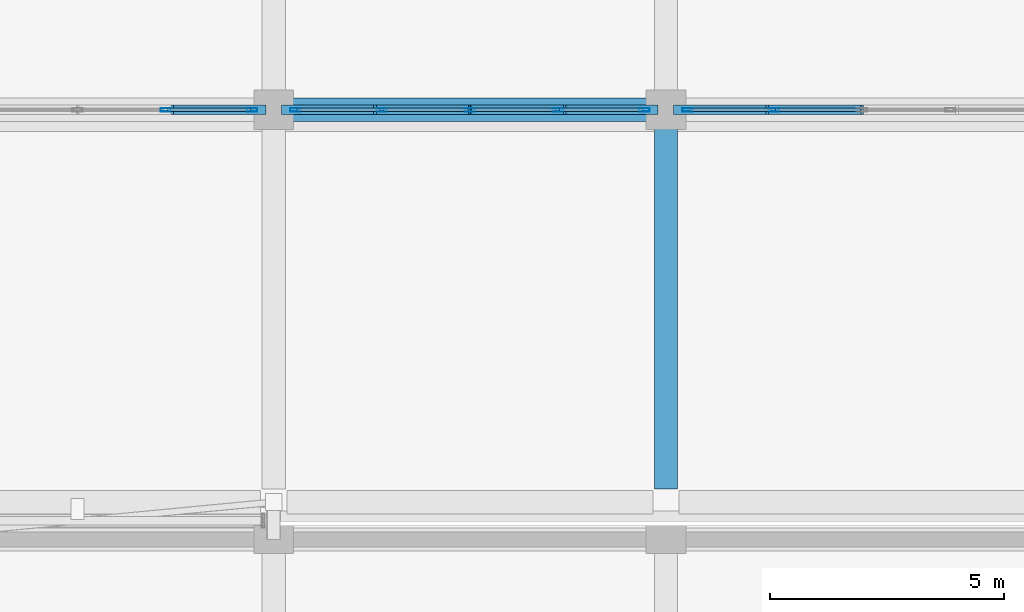
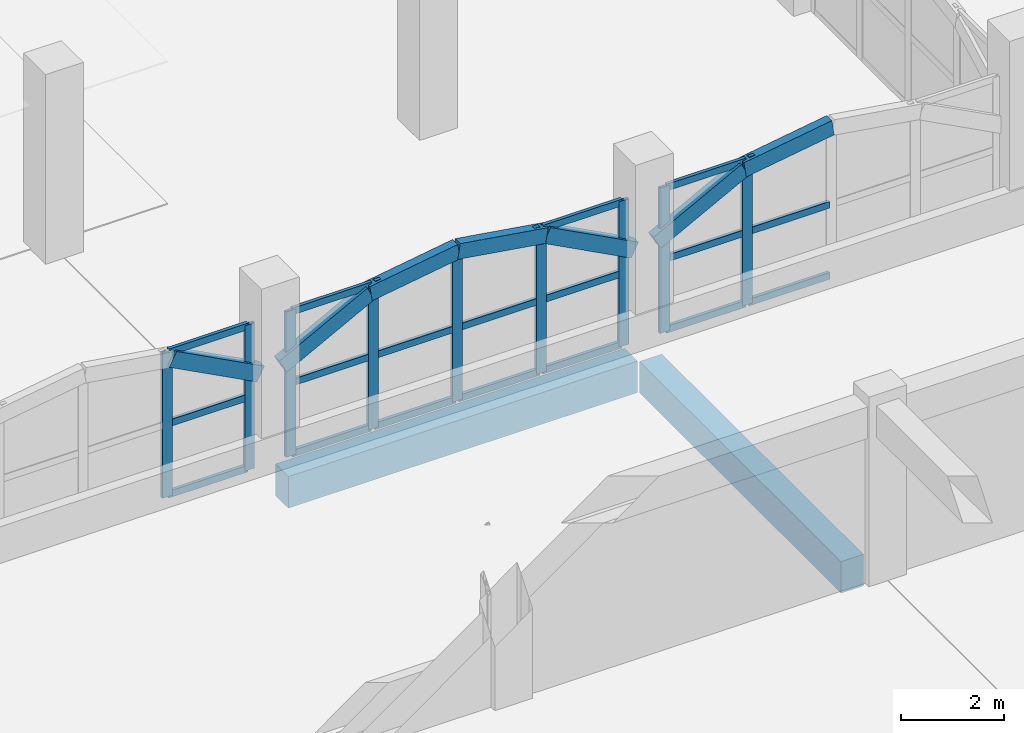
# One storey, part 22 of 129: 37 members, 2 beams, 3 elements without a shape of their own.
"""IFC4 building model written with IfcOpenShell, lengths in metres."""

from ifc_helpers import new_model, si_unit, direction, frame, origin, origin_2d, place, context, subcontext, project, spatial, rectangle, hollow_rectangle, extrude, material, layer, layer_set, material_profile, profile_set, type_object, element, aggregate, save


model = new_model("IFC4")

# Units and contexts
model_context = context("Model", 3, precision=1e-05, world=origin(), true_north=direction((0.0, 1.0)))
body_context = subcontext(model_context, "Body", "Model", "MODEL_VIEW")
ifc_project = project(units=[si_unit("LENGTHUNIT", "METRE"), si_unit("AREAUNIT", "SQUARE_METRE"), si_unit("VOLUMEUNIT", "CUBIC_METRE"), si_unit("PLANEANGLEUNIT", "RADIAN"), si_unit("MASSUNIT", "GRAM", prefix="KILO")], contexts=[model_context])

# Site, building, storey
site_placement = place(None, origin())
site = spatial("IfcSite", under=ifc_project, at=site_placement, CompositionType="ELEMENT")
building_placement = place(site_placement, origin())
building = spatial("IfcBuilding", under=site, at=building_placement, Name="Xazarin Passage Department Store", CompositionType="ELEMENT")
storey_placement = place(building_placement, frame((0.0, 0.0, 9.89990234375)))
storey = spatial("IfcBuildingStorey", under=building, at=storey_placement, Name="L02", CompositionType="ELEMENT", Elevation=9.89990234375)

# Curtain wall, members
ifc_material_1 = material(Name="Bronze anodised aluminium", Category="aluminium")
ifc_layer = layer(ifc_material_1, 0.199951171875)
ifc_layer_set = layer_set([ifc_layer], Name="Bronze anodised aluminium")
curtain_wall_type = type_object("IfcCurtainWallType", Name="ARC-CW-VIT2", PredefinedType="NOTDEFINED", material=ifc_layer_set)
curtain_wall_1_placement = place(storey_placement, origin())
curtain_wall_1 = element("IfcCurtainWall", 1, at=curtain_wall_1_placement, inside=storey, type_object=curtain_wall_type, Name="L02 V1 Curtain Wall 032", PredefinedType="NOTDEFINED")
ifc_material_profile_1 = material_profile(ifc_material_1, hollow_rectangle(XDim=0.074951171875, YDim=0.219970703125, WallThickness=0.0048828125, at=origin_2d()), Name="ALU 75x220")
ifc_profile_set_1 = profile_set([ifc_material_profile_1], Name="Bronze anodised aluminium")
member_type_1 = type_object("IfcMemberType", Name="ARC-CWM-75x220", PredefinedType="MULLION", material=ifc_profile_set_1)
member_1_placement = place(storey_placement, frame((31.28759765625, 59.60009765625, 0.0), z_axis=(0.0, 0.0, 1.0), x_axis=(0.0, 1.0, 0.0)))
member_1 = element("IfcMember", 2, at=member_1_placement, type_object=member_type_1, Name="CW2 mullion 4", PredefinedType="MULLION", context=body_context, shape_type="SweptSolid", body=[
    extrude(hollow_rectangle(XDim=0.074951171875, YDim=0.219970703125, WallThickness=0.0048828125, at=origin_2d()), origin(), (0.0, 0.0, 1.0), 3.4501953125),
])
member_2_placement = place(storey_placement, frame((33.137451171875, 59.60009765625, 0.0), z_axis=(0.0, 0.0, 1.0), x_axis=(0.0, 1.0, 0.0)))
member_2 = element("IfcMember", 3, at=member_2_placement, type_object=member_type_1, Name="CW2 mullion 5", PredefinedType="MULLION", context=body_context, shape_type="SweptSolid", body=[
    extrude(hollow_rectangle(XDim=0.074951171875, YDim=0.219970703125, WallThickness=0.0048828125, at=origin_2d()), origin(), (0.0, 0.0, 1.0), 3.4501953125),
])

curtain_wall_2_placement = place(storey_placement, origin())
curtain_wall_2 = element("IfcCurtainWall", 4, at=curtain_wall_2_placement, inside=storey, type_object=curtain_wall_type, Name="L02 V1 Curtain Wall 033", PredefinedType="NOTDEFINED")
member_3_placement = place(storey_placement, frame((34.0625, 59.60009765625, 0.0), z_axis=(0.0, 0.0, 1.0), x_axis=(0.0, 1.0, 0.0)))
member_3 = element("IfcMember", 5, at=member_3_placement, type_object=member_type_1, Name="CW2 mullion 1", PredefinedType="MULLION", context=body_context, shape_type="SweptSolid", body=[
    extrude(hollow_rectangle(XDim=0.074951171875, YDim=0.219970703125, WallThickness=0.0048828125, at=origin_2d()), origin(), (0.0, 0.0, 1.0), 3.4501953125),
])
member_4_placement = place(storey_placement, frame((35.91259765625, 59.60009765625, 0.0), z_axis=(0.0, 0.0, 1.0), x_axis=(0.0, 1.0, 0.0)))
member_4 = element("IfcMember", 6, at=member_4_placement, type_object=member_type_1, Name="CW2 mullion 2", PredefinedType="MULLION", context=body_context, shape_type="SweptSolid", body=[
    extrude(hollow_rectangle(XDim=0.074951171875, YDim=0.219970703125, WallThickness=0.0048828125, at=origin_2d()), origin(), (0.0, 0.0, 1.0), 3.4501953125),
])
member_5_placement = place(storey_placement, frame((37.800048828125, 59.60009765625, 0.0), z_axis=(0.0, 0.0, 1.0), x_axis=(0.0, 1.0, 0.0)))
member_5 = element("IfcMember", 7, at=member_5_placement, type_object=member_type_1, Name="CW2 mullion 3", PredefinedType="MULLION", context=body_context, shape_type="SweptSolid", body=[
    extrude(hollow_rectangle(XDim=0.074951171875, YDim=0.219970703125, WallThickness=0.0048828125, at=origin_2d()), origin(), (0.0, 0.0, 1.0), 3.4501953125),
])
member_6_placement = place(storey_placement, frame((39.6875, 59.60009765625, 0.0), z_axis=(0.0, 0.0, 1.0), x_axis=(0.0, 1.0, 0.0)))
member_6 = element("IfcMember", 8, at=member_6_placement, type_object=member_type_1, Name="CW2 mullion 4", PredefinedType="MULLION", context=body_context, shape_type="SweptSolid", body=[
    extrude(hollow_rectangle(XDim=0.074951171875, YDim=0.219970703125, WallThickness=0.0048828125, at=origin_2d()), origin(), (0.0, 0.0, 1.0), 3.4501953125),
])
member_7_placement = place(storey_placement, frame((41.53759765625, 59.60009765625, 0.0), z_axis=(0.0, 0.0, 1.0), x_axis=(0.0, 1.0, 0.0)))
member_7 = element("IfcMember", 9, at=member_7_placement, type_object=member_type_1, Name="CW2 mullion 5", PredefinedType="MULLION", context=body_context, shape_type="SweptSolid", body=[
    extrude(hollow_rectangle(XDim=0.074951171875, YDim=0.219970703125, WallThickness=0.0048828125, at=origin_2d()), origin(), (0.0, 0.0, 1.0), 3.4501953125),
])

curtain_wall_3_placement = place(storey_placement, origin())
curtain_wall_3 = element("IfcCurtainWall", 10, at=curtain_wall_3_placement, inside=storey, type_object=curtain_wall_type, Name="L02 V1 Curtain Wall 034", PredefinedType="NOTDEFINED")
member_8_placement = place(storey_placement, frame((42.46240234375, 59.60009765625, 0.0), z_axis=(0.0, 0.0, 1.0), x_axis=(0.0, 1.0, 0.0)))
member_8 = element("IfcMember", 11, at=member_8_placement, type_object=member_type_1, Name="CW2 mullion 1", PredefinedType="MULLION", context=body_context, shape_type="SweptSolid", body=[
    extrude(hollow_rectangle(XDim=0.074951171875, YDim=0.219970703125, WallThickness=0.0048828125, at=origin_2d()), origin(), (0.0, 0.0, 1.0), 3.4501953125),
])
member_9_placement = place(storey_placement, frame((44.3125, 59.60009765625, 0.0), z_axis=(0.0, 0.0, 1.0), x_axis=(0.0, 1.0, 0.0)))
member_9 = element("IfcMember", 12, at=member_9_placement, type_object=member_type_1, Name="CW2 mullion 2", PredefinedType="MULLION", context=body_context, shape_type="SweptSolid", body=[
    extrude(hollow_rectangle(XDim=0.074951171875, YDim=0.219970703125, WallThickness=0.0048828125, at=origin_2d()), origin(), (0.0, 0.0, 1.0), 3.4501953125),
])

# Member
ifc_material_profile_2 = material_profile(ifc_material_1, hollow_rectangle(XDim=0.074951171875, YDim=0.159912109375, WallThickness=0.00439453125, at=origin_2d()), Name="ALU 75x160")
ifc_profile_set_2 = profile_set([ifc_material_profile_2], Name="Bronze anodised aluminium")
member_type_2 = type_object("IfcMemberType", Name="ARC-CWT-75x160", PredefinedType="USERDEFINED", material=ifc_profile_set_2)
member_10_placement = place(storey_placement, frame((31.324951171875, 59.60009765625, 0.03759765625), z_axis=(1.0, 0.0, 0.0), x_axis=(0.0, 1.0, 0.0)))
member_10 = element("IfcMember", 13, at=member_10_placement, type_object=member_type_2, Name="CW2 transom 4.1", ObjectType="TRANSOM", PredefinedType="USERDEFINED", context=body_context, shape_type="SweptSolid", body=[
    extrude(hollow_rectangle(XDim=0.074951171875, YDim=0.159912109375, WallThickness=0.00439453125, at=origin_2d()), origin(), (0.0, 0.0, 1.0), 1.775146484375),
])

member_11_placement = place(storey_placement, frame((31.324951171875, 59.60009765625, 1.72509765625), z_axis=(1.0, 0.0, 0.0), x_axis=(0.0, 1.0, 0.0)))
member_11 = element("IfcMember", 14, at=member_11_placement, type_object=member_type_2, Name="CW2 transom 4.2", ObjectType="TRANSOM", PredefinedType="USERDEFINED", context=body_context, shape_type="SweptSolid", body=[
    extrude(hollow_rectangle(XDim=0.074951171875, YDim=0.159912109375, WallThickness=0.00439453125, at=origin_2d()), origin(), (0.0, 0.0, 1.0), 1.775146484375),
])

member_12_placement = place(storey_placement, frame((31.324951171875, 59.60009765625, 3.41259765625), z_axis=(1.0, 0.0, 0.0), x_axis=(0.0, 1.0, 0.0)))
member_12 = element("IfcMember", 15, at=member_12_placement, type_object=member_type_2, Name="CW2 transom 4.3", ObjectType="TRANSOM", PredefinedType="USERDEFINED", context=body_context, shape_type="SweptSolid", body=[
    extrude(hollow_rectangle(XDim=0.074951171875, YDim=0.159912109375, WallThickness=0.00439453125, at=origin_2d()), origin(), (0.0, 0.0, 1.0), 1.775146484375),
])

aggregate(curtain_wall_1, [member_1, member_2, member_10, member_11, member_12])

member_13_placement = place(storey_placement, frame((34.10009765625, 59.60009765625, 0.03759765625), z_axis=(1.0, 0.0, 0.0), x_axis=(0.0, 1.0, 0.0)))
member_13 = element("IfcMember", 16, at=member_13_placement, type_object=member_type_2, Name="CW2 transom 1.1", ObjectType="TRANSOM", PredefinedType="USERDEFINED", context=body_context, shape_type="SweptSolid", body=[
    extrude(hollow_rectangle(XDim=0.074951171875, YDim=0.159912109375, WallThickness=0.00439453125, at=origin_2d()), origin(), (0.0, 0.0, 1.0), 1.77490234375),
])

member_14_placement = place(storey_placement, frame((34.10009765625, 59.60009765625, 1.72509765625), z_axis=(1.0, 0.0, 0.0), x_axis=(0.0, 1.0, 0.0)))
member_14 = element("IfcMember", 17, at=member_14_placement, type_object=member_type_2, Name="CW2 transom 1.2", ObjectType="TRANSOM", PredefinedType="USERDEFINED", context=body_context, shape_type="SweptSolid", body=[
    extrude(hollow_rectangle(XDim=0.074951171875, YDim=0.159912109375, WallThickness=0.00439453125, at=origin_2d()), origin(), (0.0, 0.0, 1.0), 1.77490234375),
])

member_15_placement = place(storey_placement, frame((34.10009765625, 59.60009765625, 3.41259765625), z_axis=(1.0, 0.0, 0.0), x_axis=(0.0, 1.0, 0.0)))
member_15 = element("IfcMember", 18, at=member_15_placement, type_object=member_type_2, Name="CW2 transom 1.3", ObjectType="TRANSOM", PredefinedType="USERDEFINED", context=body_context, shape_type="SweptSolid", body=[
    extrude(hollow_rectangle(XDim=0.074951171875, YDim=0.159912109375, WallThickness=0.00439453125, at=origin_2d()), origin(), (0.0, 0.0, 1.0), 1.77490234375),
])

member_16_placement = place(storey_placement, frame((35.949951171875, 59.60009765625, 0.03759765625), z_axis=(1.0, 0.0, 0.0), x_axis=(0.0, 1.0, 0.0)))
member_16 = element("IfcMember", 19, at=member_16_placement, type_object=member_type_2, Name="CW2 transom 2.1", ObjectType="TRANSOM", PredefinedType="USERDEFINED", context=body_context, shape_type="SweptSolid", body=[
    extrude(hollow_rectangle(XDim=0.074951171875, YDim=0.159912109375, WallThickness=0.00439453125, at=origin_2d()), origin(), (0.0, 0.0, 1.0), 1.8125),
])

member_17_placement = place(storey_placement, frame((35.949951171875, 59.60009765625, 1.72509765625), z_axis=(1.0, 0.0, 0.0), x_axis=(0.0, 1.0, 0.0)))
member_17 = element("IfcMember", 20, at=member_17_placement, type_object=member_type_2, Name="CW2 transom 2.2", ObjectType="TRANSOM", PredefinedType="USERDEFINED", context=body_context, shape_type="SweptSolid", body=[
    extrude(hollow_rectangle(XDim=0.074951171875, YDim=0.159912109375, WallThickness=0.00439453125, at=origin_2d()), origin(), (0.0, 0.0, 1.0), 1.8125),
])

member_18_placement = place(storey_placement, frame((35.949951171875, 59.60009765625, 3.41259765625), z_axis=(1.0, 0.0, 0.0), x_axis=(0.0, 1.0, 0.0)))
member_18 = element("IfcMember", 21, at=member_18_placement, type_object=member_type_2, Name="CW2 transom 2.3", ObjectType="TRANSOM", PredefinedType="USERDEFINED", context=body_context, shape_type="SweptSolid", body=[
    extrude(hollow_rectangle(XDim=0.074951171875, YDim=0.159912109375, WallThickness=0.00439453125, at=origin_2d()), origin(), (0.0, 0.0, 1.0), 1.8125),
])

member_19_placement = place(storey_placement, frame((37.83740234375, 59.60009765625, 0.03759765625), z_axis=(1.0, 0.0, 0.0), x_axis=(0.0, 1.0, 0.0)))
member_19 = element("IfcMember", 22, at=member_19_placement, type_object=member_type_2, Name="CW2 transom 3.1", ObjectType="TRANSOM", PredefinedType="USERDEFINED", context=body_context, shape_type="SweptSolid", body=[
    extrude(hollow_rectangle(XDim=0.074951171875, YDim=0.159912109375, WallThickness=0.00439453125, at=origin_2d()), origin(), (0.0, 0.0, 1.0), 1.8125),
])

member_20_placement = place(storey_placement, frame((37.83740234375, 59.60009765625, 1.72509765625), z_axis=(1.0, 0.0, 0.0), x_axis=(0.0, 1.0, 0.0)))
member_20 = element("IfcMember", 23, at=member_20_placement, type_object=member_type_2, Name="CW2 transom 3.2", ObjectType="TRANSOM", PredefinedType="USERDEFINED", context=body_context, shape_type="SweptSolid", body=[
    extrude(hollow_rectangle(XDim=0.074951171875, YDim=0.159912109375, WallThickness=0.00439453125, at=origin_2d()), origin(), (0.0, 0.0, 1.0), 1.8125),
])

member_21_placement = place(storey_placement, frame((37.83740234375, 59.60009765625, 3.41259765625), z_axis=(1.0, 0.0, 0.0), x_axis=(0.0, 1.0, 0.0)))
member_21 = element("IfcMember", 24, at=member_21_placement, type_object=member_type_2, Name="CW2 transom 3.3", ObjectType="TRANSOM", PredefinedType="USERDEFINED", context=body_context, shape_type="SweptSolid", body=[
    extrude(hollow_rectangle(XDim=0.074951171875, YDim=0.159912109375, WallThickness=0.00439453125, at=origin_2d()), origin(), (0.0, 0.0, 1.0), 1.8125),
])

member_22_placement = place(storey_placement, frame((39.72509765625, 59.60009765625, 0.03759765625), z_axis=(1.0, 0.0, 0.0), x_axis=(0.0, 1.0, 0.0)))
member_22 = element("IfcMember", 25, at=member_22_placement, type_object=member_type_2, Name="CW2 transom 4.1", ObjectType="TRANSOM", PredefinedType="USERDEFINED", context=body_context, shape_type="SweptSolid", body=[
    extrude(hollow_rectangle(XDim=0.074951171875, YDim=0.159912109375, WallThickness=0.00439453125, at=origin_2d()), origin(), (0.0, 0.0, 1.0), 1.77490234375),
])

member_23_placement = place(storey_placement, frame((39.72509765625, 59.60009765625, 1.72509765625), z_axis=(1.0, 0.0, 0.0), x_axis=(0.0, 1.0, 0.0)))
member_23 = element("IfcMember", 26, at=member_23_placement, type_object=member_type_2, Name="CW2 transom 4.2", ObjectType="TRANSOM", PredefinedType="USERDEFINED", context=body_context, shape_type="SweptSolid", body=[
    extrude(hollow_rectangle(XDim=0.074951171875, YDim=0.159912109375, WallThickness=0.00439453125, at=origin_2d()), origin(), (0.0, 0.0, 1.0), 1.77490234375),
])

member_24_placement = place(storey_placement, frame((39.72509765625, 59.60009765625, 3.41259765625), z_axis=(1.0, 0.0, 0.0), x_axis=(0.0, 1.0, 0.0)))
member_24 = element("IfcMember", 27, at=member_24_placement, type_object=member_type_2, Name="CW2 transom 4.3", ObjectType="TRANSOM", PredefinedType="USERDEFINED", context=body_context, shape_type="SweptSolid", body=[
    extrude(hollow_rectangle(XDim=0.074951171875, YDim=0.159912109375, WallThickness=0.00439453125, at=origin_2d()), origin(), (0.0, 0.0, 1.0), 1.77490234375),
])

aggregate(curtain_wall_2, [member_3, member_4, member_5, member_6, member_7, member_13, member_14, member_15, member_16, member_17, member_18, member_19, member_20, member_21, member_22, member_23, member_24])

member_25_placement = place(storey_placement, frame((42.5, 59.60009765625, 0.03759765625), z_axis=(1.0, 0.0, 0.0), x_axis=(0.0, 1.0, 0.0)))
member_25 = element("IfcMember", 28, at=member_25_placement, type_object=member_type_2, Name="CW2 transom 1.1", ObjectType="TRANSOM", PredefinedType="USERDEFINED", context=body_context, shape_type="SweptSolid", body=[
    extrude(hollow_rectangle(XDim=0.074951171875, YDim=0.159912109375, WallThickness=0.00439453125, at=origin_2d()), origin(), (0.0, 0.0, 1.0), 1.77490234375),
])

member_26_placement = place(storey_placement, frame((42.5, 59.60009765625, 1.72509765625), z_axis=(1.0, 0.0, 0.0), x_axis=(0.0, 1.0, 0.0)))
member_26 = element("IfcMember", 29, at=member_26_placement, type_object=member_type_2, Name="CW2 transom 1.2", ObjectType="TRANSOM", PredefinedType="USERDEFINED", context=body_context, shape_type="SweptSolid", body=[
    extrude(hollow_rectangle(XDim=0.074951171875, YDim=0.159912109375, WallThickness=0.00439453125, at=origin_2d()), origin(), (0.0, 0.0, 1.0), 1.77490234375),
])

member_27_placement = place(storey_placement, frame((42.5, 59.60009765625, 3.41259765625), z_axis=(1.0, 0.0, 0.0), x_axis=(0.0, 1.0, 0.0)))
member_27 = element("IfcMember", 30, at=member_27_placement, type_object=member_type_2, Name="CW2 transom 1.3", ObjectType="TRANSOM", PredefinedType="USERDEFINED", context=body_context, shape_type="SweptSolid", body=[
    extrude(hollow_rectangle(XDim=0.074951171875, YDim=0.159912109375, WallThickness=0.00439453125, at=origin_2d()), origin(), (0.0, 0.0, 1.0), 1.77490234375),
])

member_28_placement = place(storey_placement, frame((44.35009765625, 59.60009765625, 0.03759765625), z_axis=(1.0, 0.0, 0.0), x_axis=(0.0, 1.0, 0.0)))
member_28 = element("IfcMember", 31, at=member_28_placement, type_object=member_type_2, Name="CW2 transom 2.1", ObjectType="TRANSOM", PredefinedType="USERDEFINED", context=body_context, shape_type="SweptSolid", body=[
    extrude(hollow_rectangle(XDim=0.074951171875, YDim=0.159912109375, WallThickness=0.00439453125, at=origin_2d()), origin(), (0.0, 0.0, 1.0), 1.8125),
])

member_29_placement = place(storey_placement, frame((44.35009765625, 59.60009765625, 1.72509765625), z_axis=(1.0, 0.0, 0.0), x_axis=(0.0, 1.0, 0.0)))
member_29 = element("IfcMember", 32, at=member_29_placement, type_object=member_type_2, Name="CW2 transom 2.2", ObjectType="TRANSOM", PredefinedType="USERDEFINED", context=body_context, shape_type="SweptSolid", body=[
    extrude(hollow_rectangle(XDim=0.074951171875, YDim=0.159912109375, WallThickness=0.00439453125, at=origin_2d()), origin(), (0.0, 0.0, 1.0), 1.8125),
])

member_30_placement = place(storey_placement, frame((44.35009765625, 59.60009765625, 3.41259765625), z_axis=(1.0, 0.0, 0.0), x_axis=(0.0, 1.0, 0.0)))
member_30 = element("IfcMember", 33, at=member_30_placement, type_object=member_type_2, Name="CW2 transom 2.3", ObjectType="TRANSOM", PredefinedType="USERDEFINED", context=body_context, shape_type="SweptSolid", body=[
    extrude(hollow_rectangle(XDim=0.074951171875, YDim=0.159912109375, WallThickness=0.00439453125, at=origin_2d()), origin(), (0.0, 0.0, 1.0), 1.8125),
])

aggregate(curtain_wall_3, [member_8, member_9, member_25, member_26, member_27, member_28, member_29, member_30])

# Beams
ifc_material_2 = material(Name="Concrete C35/45", Category="concrete")
ifc_material_profile_3 = material_profile(ifc_material_2, rectangle(XDim=0.5, YDim=0.75, at=origin_2d()), Name="RC 500x750")
ifc_profile_set_3 = profile_set([ifc_material_profile_3], Name="Concrete C35/45")
beam_type = type_object("IfcBeamType", Name="STR-BM-SP500x750", PredefinedType="SPANDREL", material=ifc_profile_set_3)
for number, where, z_axis, x_axis, name in (
    (34, (33.8798828125, 59.60009765625, -0.6748046875), (1.0, 0.0, 0.0), (0.0, 1.0, 0.0), "L02 Grid Beam J/5-6"),
    (35, (42.0, 51.47998046875, -0.6748046875), (0.0, 1.0, 0.0), (-1.0, 0.0, 0.0), "L02 Grid Beam 6/H-J"),
):
    element("IfcBeam", number, at=place(storey_placement, frame(where, z_axis=z_axis, x_axis=x_axis)), inside=storey, type_object=beam_type, Name=name, PredefinedType="SPANDREL", context=body_context, shape_type="SweptSolid", body=[
        extrude(rectangle(XDim=0.5, YDim=0.75, at=origin_2d()), origin(), (0.0, 0.0, 1.0), 7.840087890625),
    ])

# Members
ifc_material_3 = material(Name="Concrete C40/50", Category="concrete")
ifc_material_profile_4 = material_profile(ifc_material_3, rectangle(XDim=0.199951171875, YDim=0.360107421875, at=origin_2d()), Name="RC 200x360")
ifc_profile_set_4 = profile_set([ifc_material_profile_4], Name="Concrete C40/50")
member_type_3 = type_object("IfcMemberType", Name="STR-MEM-ARC360", PredefinedType="CHORD", material=ifc_profile_set_4)
member_31_placement = place(storey_placement, frame((31.375, 59.60009765625, 3.2705078125), z_axis=(0.88473311603, 0.0, -0.466097965454), x_axis=(0.0, 1.0, 0.0)))
element("IfcMember", 36, at=member_31_placement, inside=storey, type_object=member_type_3, Name="L02 V1 Upper Setback Pierced Arch 006.4", PredefinedType="CHORD", context=body_context, shape_type="SweptSolid", body=[
    extrude(rectangle(XDim=0.199951171875, YDim=0.360107421875, at=origin_2d()), origin(), (0.0, 0.0, 1.0), 2.232421875),
])
member_32_placement = place(storey_placement, frame((33.85009765625, 59.60009765625, 2.22998046875), z_axis=(0.884709354127, 0.0, 0.466143066793), x_axis=(0.0, 1.0, 0.0)))
element("IfcMember", 37, at=member_32_placement, inside=storey, type_object=member_type_3, Name="L02 V1 Upper Setback Pierced Arch 007.1", PredefinedType="CHORD", context=body_context, shape_type="SweptSolid", body=[
    extrude(rectangle(XDim=0.199951171875, YDim=0.360107421875, at=origin_2d()), origin(), (0.0, 0.0, 1.0), 2.232177734375),
])
member_33_placement = place(storey_placement, frame((35.824951171875, 59.60009765625, 3.2705078125), z_axis=(0.987938581312, 0.0, 0.154846244883), x_axis=(0.0, 1.0, 0.0)))
element("IfcMember", 38, at=member_33_placement, inside=storey, type_object=member_type_3, Name="L02 V1 Upper Setback Pierced Arch 007.2", PredefinedType="CHORD", context=body_context, shape_type="SweptSolid", body=[
    extrude(rectangle(XDim=0.199951171875, YDim=0.360107421875, at=origin_2d()), origin(), (0.0, 0.0, 1.0), 1.999267578125),
])
member_34_placement = place(storey_placement, frame((37.800048828125, 59.60009765625, 3.580078125), z_axis=(0.987935652704, 0.0, -0.154864928623), x_axis=(0.0, 1.0, 0.0)))
element("IfcMember", 39, at=member_34_placement, inside=storey, type_object=member_type_3, Name="L02 V1 Upper Setback Pierced Arch 007.3", PredefinedType="CHORD", context=body_context, shape_type="SweptSolid", body=[
    extrude(rectangle(XDim=0.199951171875, YDim=0.360107421875, at=origin_2d()), origin(), (0.0, 0.0, 1.0), 1.9990234375),
])
for number, where, z_axis, x_axis, name in (
    (40, (39.77490234375, 59.60009765625, 3.2705078125), (0.88473311603, 0.0, -0.466097965454), (0.0, 1.0, 0.0), "L02 V1 Upper Setback Pierced Arch 007.4"),
    (41, (42.25, 59.60009765625, 2.22998046875), (0.88473311603, 0.0, 0.466097965454), (0.0, 1.0, 0.0), "L02 V1 Upper Setback Pierced Arch 008.1"),
):
    element("IfcMember", number, at=place(storey_placement, frame(where, z_axis=z_axis, x_axis=x_axis)), inside=storey, type_object=member_type_3, Name=name, PredefinedType="CHORD", context=body_context, shape_type="SweptSolid", body=[
        extrude(rectangle(XDim=0.199951171875, YDim=0.360107421875, at=origin_2d()), origin(), (0.0, 0.0, 1.0), 2.232421875),
    ])
member_35_placement = place(storey_placement, frame((44.22509765625, 59.60009765625, 3.2705078125), z_axis=(0.987935652704, 0.0, 0.154864928623), x_axis=(0.0, 1.0, 0.0)))
element("IfcMember", 42, at=member_35_placement, inside=storey, type_object=member_type_3, Name="L02 V1 Upper Setback Pierced Arch 008.2", PredefinedType="CHORD", context=body_context, shape_type="SweptSolid", body=[
    extrude(rectangle(XDim=0.199951171875, YDim=0.360107421875, at=origin_2d()), origin(), (0.0, 0.0, 1.0), 1.9990234375),
])

save(model, "model.ifc")
